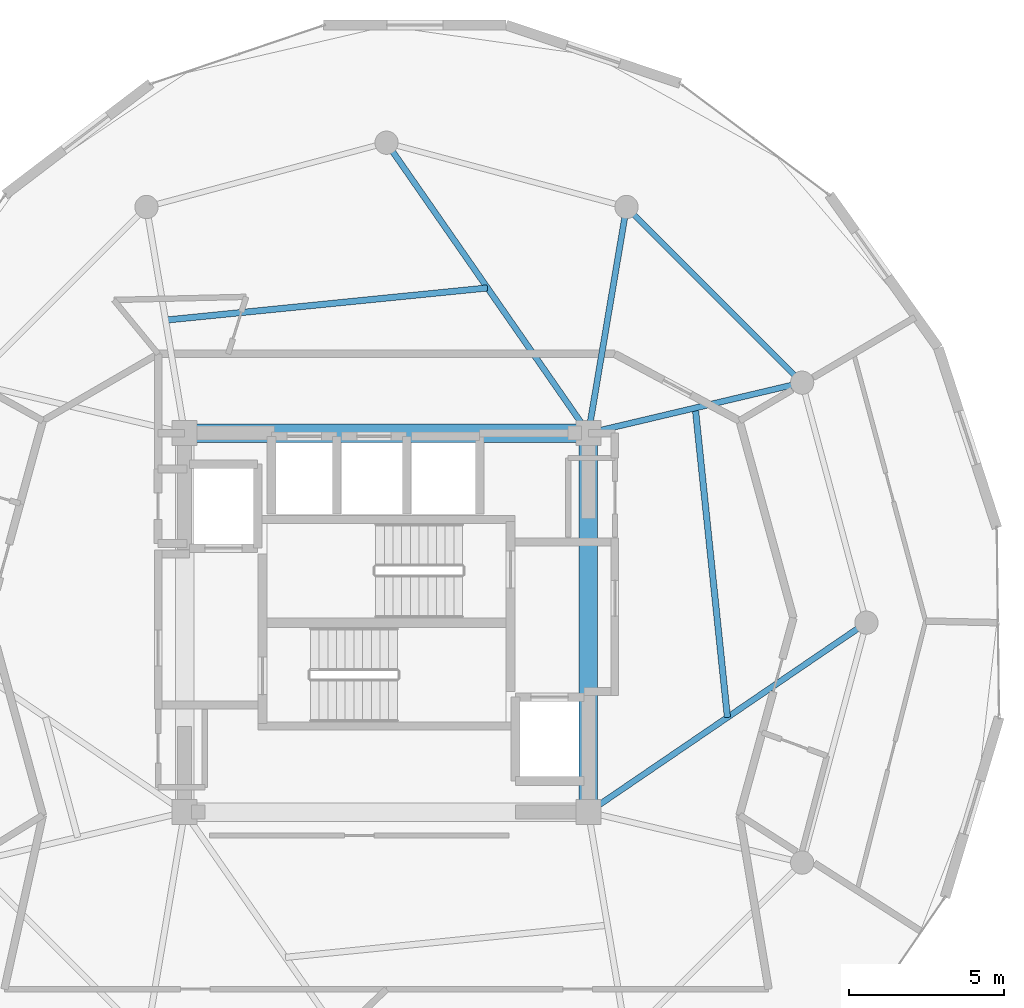
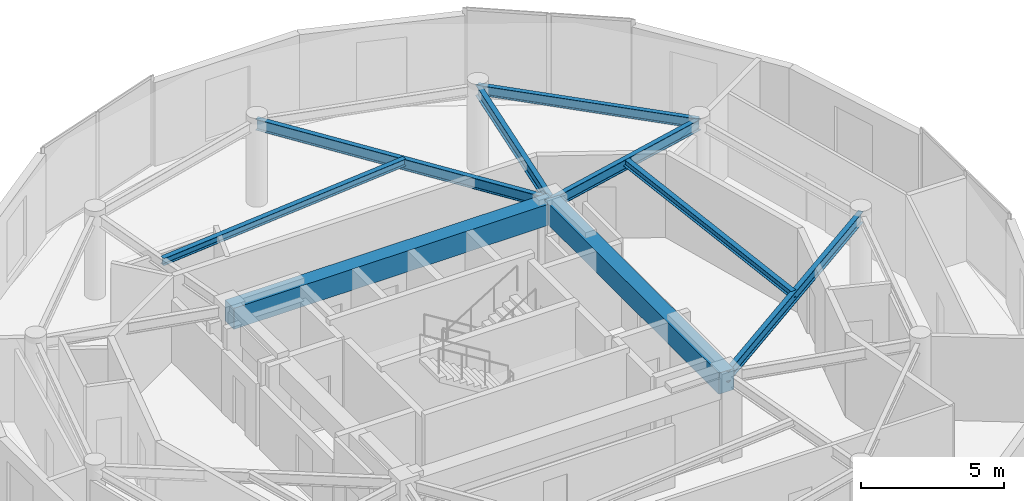
# One storey, part 7 of 18: 9 beams.
"""IFC4 building model written with IfcOpenShell, lengths in metres."""

from ifc_helpers import new_model, si_unit, direction, frame, origin, origin_2d, place, context, subcontext, project, spatial, rectangle, i_section, extrude, material, material_profile, profile_set, type_object, element, save


model = new_model("IFC4")

# Units and contexts
model_context = context("Model", 3, precision=1e-05, world=origin(), true_north=direction((0.0, 1.0)))
body_context = subcontext(model_context, "Body", "Model", "MODEL_VIEW")
ifc_project = project(units=[si_unit("LENGTHUNIT", "METRE"), si_unit("AREAUNIT", "SQUARE_METRE"), si_unit("VOLUMEUNIT", "CUBIC_METRE"), si_unit("PLANEANGLEUNIT", "RADIAN"), si_unit("MASSUNIT", "GRAM", prefix="KILO")], contexts=[model_context])

# Site, building, storey
site_placement = place(None, origin())
site = spatial("IfcSite", under=ifc_project, at=site_placement, CompositionType="ELEMENT")
building_placement = place(site_placement, origin())
building = spatial("IfcBuilding", under=site, at=building_placement, Name="Solvirekh Grand Hotel", CompositionType="ELEMENT")
storey_placement = place(building_placement, frame((0.0, 0.0, 250.60009765625)))
storey = spatial("IfcBuildingStorey", under=building, at=storey_placement, Name="L65", CompositionType="ELEMENT", Elevation=250.60009765625)

# Beams
ifc_material_1 = material(Name="Concrete C50/60", Category="concrete")
ifc_material_profile_1 = material_profile(ifc_material_1, rectangle(XDim=0.60009765625, YDim=0.89990234375, at=origin_2d()), Name="RC BEAM 600X900")
ifc_profile_set_1 = profile_set([ifc_material_profile_1], Name="Concrete C50/60")
beam_type_1 = type_object("IfcBeamType", Name="Beam_Core_RC900", PredefinedType="BEAM", material=ifc_profile_set_1)
beam_1_placement = place(storey_placement, frame((6.5, -6.10009765625, 3.119873046875), z_axis=(0.0, 1.0, 0.0), x_axis=(-1.0, 0.0, 0.0)))
element("IfcBeam", 1, at=beam_1_placement, inside=storey, type_object=beam_type_1, Name="L65 core coupling ring beam 2", PredefinedType="BEAM", context=body_context, shape_type="SweptSolid", body=[
    extrude(rectangle(XDim=0.60009765625, YDim=0.89990234375, at=origin_2d()), origin(), (0.0, 0.0, 1.0), 12.2001953125),
])
beam_2_placement = place(storey_placement, frame((6.5, 6.10009765625, 3.119873046875), z_axis=(-1.0, 0.0, 0.0), x_axis=(0.0, -1.0, 0.0)))
element("IfcBeam", 2, at=beam_2_placement, inside=storey, type_object=beam_type_1, Name="L65 core coupling ring beam 3", PredefinedType="BEAM", context=body_context, shape_type="SweptSolid", body=[
    extrude(rectangle(XDim=0.60009765625, YDim=0.89990234375, at=origin_2d()), origin(), (0.0, 0.0, 1.0), 13.0),
])
ifc_material_2 = material(Name="Steel S355", Category="steel")
ifc_material_profile_2 = material_profile(ifc_material_2, i_section(OverallWidth=0.194091796875, OverallDepth=0.468994140625, WebThickness=0.010986328125, FlangeThickness=0.01904296875, FilletRadius=0.012939453125, at=origin_2d()), Name="W460X106")
ifc_profile_set_2 = profile_set([ifc_material_profile_2], Name="Steel S355")
beam_type_2 = type_object("IfcBeamType", Name="Beam_Radial_W460H", PredefinedType="BEAM", material=ifc_profile_set_2)
beam_3_placement = place(storey_placement, frame((6.5, -6.10009765625, 3.3349609375), z_axis=(0.826319370306, 0.563201827285, 0.0), x_axis=(-0.563201827285, 0.826319370306, 0.0)))
element("IfcBeam", 3, at=beam_3_placement, inside=storey, type_object=beam_type_2, Name="L65 radial floor beam R01", PredefinedType="BEAM", context=body_context, shape_type="SweptSolid", body=[
    extrude(i_section(OverallWidth=0.194091796875, OverallDepth=0.468994140625, WebThickness=0.010986328125, FlangeThickness=0.01904296875, FilletRadius=0.012939453125, at=origin_2d()), origin(), (0.0, 0.0, 1.0), 10.8310546875),
])
beam_4_placement = place(storey_placement, frame((6.5, 6.10009765625, 3.3349609375), z_axis=(0.973221147544, 0.229870828888, 0.0), x_axis=(-0.229870828888, 0.973221147544, 0.0)))
element("IfcBeam", 4, at=beam_4_placement, inside=storey, type_object=beam_type_2, Name="L65 radial floor beam R02", PredefinedType="BEAM", context=body_context, shape_type="SweptSolid", body=[
    extrude(i_section(OverallWidth=0.194091796875, OverallDepth=0.468994140625, WebThickness=0.010986328125, FlangeThickness=0.01904296875, FilletRadius=0.012939453125, at=origin_2d()), origin(), (0.0, 0.0, 1.0), 7.069091796875),
])
beam_5_placement = place(storey_placement, frame((6.5, 6.10009765625, 3.3349609375), z_axis=(0.165954049106, 0.986133486697, 0.0), x_axis=(-0.986133486697, 0.165954049106, 0.0)))
element("IfcBeam", 5, at=beam_5_placement, inside=storey, type_object=beam_type_2, Name="L65 radial floor beam R03", PredefinedType="BEAM", context=body_context, shape_type="SweptSolid", body=[
    extrude(i_section(OverallWidth=0.194091796875, OverallDepth=0.468994140625, WebThickness=0.010986328125, FlangeThickness=0.01904296875, FilletRadius=0.012939453125, at=origin_2d()), origin(), (0.0, 0.0, 1.0), 7.382080078125),
])
beam_6_placement = place(storey_placement, frame((6.5, 6.10009765625, 3.3349609375), z_axis=(-0.570813192472, 0.821079959139, 0.0), x_axis=(-0.821079959139, -0.570813192472, 0.0)))
element("IfcBeam", 6, at=beam_6_placement, inside=storey, type_object=beam_type_2, Name="L65 radial floor beam R04", PredefinedType="BEAM", context=body_context, shape_type="SweptSolid", body=[
    extrude(i_section(OverallWidth=0.194091796875, OverallDepth=0.468994140625, WebThickness=0.010986328125, FlangeThickness=0.01904296875, FilletRadius=0.012939453125, at=origin_2d()), origin(), (0.0, 0.0, 1.0), 11.38720703125),
])
ifc_material_profile_3 = material_profile(ifc_material_2, i_section(OverallWidth=0.202880859375, OverallDepth=0.302978515625, WebThickness=0.008056640625, FlangeThickness=0.012939453125, FilletRadius=0.010009765625, at=origin_2d()), Name="W310X60")
ifc_profile_set_3 = profile_set([ifc_material_profile_3], Name="Steel S355")
beam_type_3 = type_object("IfcBeamType", Name="Joist_Floor_W310", PredefinedType="JOIST", material=ifc_profile_set_3)
beam_7_placement = place(storey_placement, frame((10.97509765625, -3.050048828125, 3.41796875), z_axis=(-0.103352382469, 0.994644803454, 0.0), x_axis=(-0.994644803454, -0.103352382469, 0.0)))
element("IfcBeam", 7, at=beam_7_placement, inside=storey, type_object=beam_type_3, Name="L65 secondary composite floor joist 1", PredefinedType="JOIST", context=body_context, shape_type="SweptSolid", body=[
    extrude(i_section(OverallWidth=0.202880859375, OverallDepth=0.302978515625, WebThickness=0.008056640625, FlangeThickness=0.012939453125, FilletRadius=0.010009765625, at=origin_2d()), origin(), (0.0, 0.0, 1.0), 10.015869140625),
])
beam_8_placement = place(storey_placement, frame((3.25, 10.77490234375, 3.41796875), z_axis=(-0.995049485097, -0.099380693338, 0.0), x_axis=(0.099380693338, -0.995049485097, 0.0)))
element("IfcBeam", 8, at=beam_8_placement, inside=storey, type_object=beam_type_3, Name="L65 secondary composite floor joist 4", PredefinedType="JOIST", context=body_context, shape_type="SweptSolid", body=[
    extrude(i_section(OverallWidth=0.202880859375, OverallDepth=0.302978515625, WebThickness=0.008056640625, FlangeThickness=0.012939453125, FilletRadius=0.010009765625, at=origin_2d()), origin(), (0.0, 0.0, 1.0), 10.41357421875),
])
ifc_material_profile_4 = material_profile(ifc_material_2, i_section(OverallWidth=0.180908203125, OverallDepth=0.4169921875, WebThickness=0.010009765625, FlangeThickness=0.01611328125, FilletRadius=0.011962890625, at=origin_2d()), Name="W410X85")
ifc_profile_set_4 = profile_set([ifc_material_profile_4], Name="Steel S355")
beam_type_4 = type_object("IfcBeamType", Name="Spandrel_Ring_W410", PredefinedType="SPANDREL", material=ifc_profile_set_4)
beam_9_placement = place(storey_placement, frame((13.3798828125, 7.72509765625, 3.36181640625), z_axis=(-0.707106781187, 0.707106781187, 0.0), x_axis=(-0.707106781187, -0.707106781187, 0.0)))
element("IfcBeam", 9, at=beam_9_placement, inside=storey, type_object=beam_type_4, Name="L65 perimeter spandrel beam 2", PredefinedType="SPANDREL", context=body_context, shape_type="SweptSolid", body=[
    extrude(i_section(OverallWidth=0.180908203125, OverallDepth=0.4169921875, WebThickness=0.010009765625, FlangeThickness=0.01611328125, FilletRadius=0.011962890625, at=origin_2d()), origin(), (0.0, 0.0, 1.0), 7.9970703125),
])

save(model, "model.ifc")
